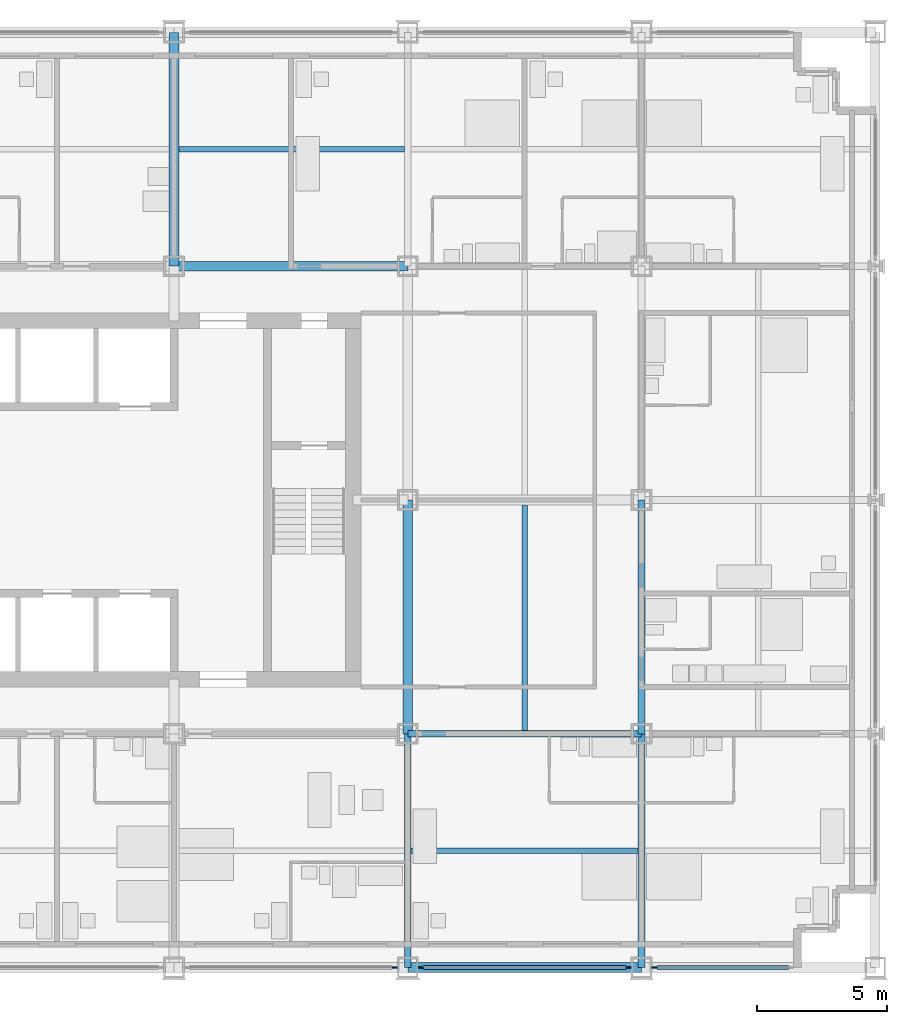
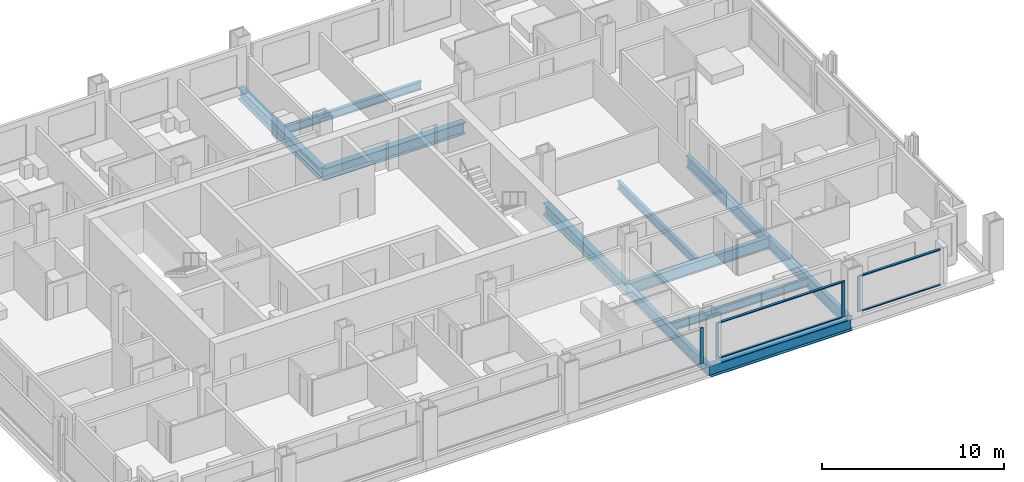
# One storey, part 5 of 18: 11 beams, 8 members, 3 elements without a shape of their own.
"""IFC4 building model written with IfcOpenShell, lengths in metres."""

import ifcopenshell
import ifcopenshell.guid

model = None  # the IFC model being written
_history = None  # IfcOwnerHistory: only IFC2X3 demands one
_inside = {}  # id of a spatial element -> (the spatial element, [elements in it])
_under = {}  # id of a project, library or spatial element -> (it, [spatial elements below it])
_declared = {}  # id of a project -> (the project, [libraries it declares])
_typed = {}  # id of a type object -> (the type object, [elements of that type])
_made_of = {}  # id of a material, layer set ... -> (it, [elements and type objects made of it])


def new_model(schema):
    """Start an empty IFC model of exactly this schema.

    Asked for "IFC4X3", IfcOpenShell would pick the latest addendum, in which some entities
    have other attributes; the version numbers below select the first issue.
    IFC2X3 requires an IfcOwnerHistory on every rooted entity: one is made here for all.
    """
    global model, _history
    if schema == "IFC4X3":
        model = ifcopenshell.file(schema_version=(4, 3, 0, 0))
    else:
        model = ifcopenshell.file(schema=schema)
    _inside.clear()
    _under.clear()
    _declared.clear()
    _typed.clear()
    _made_of.clear()
    _history = None
    if model.schema == "IFC2X3":
        org = make("IfcOrganization", Name="unknown")
        user = make(
            "IfcPersonAndOrganization",
            ThePerson=make("IfcPerson", FamilyName="unknown"),
            TheOrganization=org,
        )
        app = make(
            "IfcApplication",
            ApplicationDeveloper=org,
            Version="unknown",
            ApplicationFullName="unknown",
            ApplicationIdentifier="unknown",
        )
        _history = make(
            "IfcOwnerHistory",
            OwningUser=user,
            OwningApplication=app,
            ChangeAction="ADDED",
            CreationDate=0,
        )
    return model


def make(cls, **values):
    """One entity of the class cls with the attributes given. An attribute that is None is left unset."""
    return model.create_entity(
        cls, **{name: value for name, value in values.items() if value is not None}
    )


def rooted(cls, **values):
    """An entity with a GlobalId (a new one), such as an element, a storey or a relation."""
    return make(cls, GlobalId=ifcopenshell.guid.new(), OwnerHistory=_history, **values)


def si_unit(unit_type, name, prefix=None):
    """IfcSIUnit, for example si_unit("LENGTHUNIT", "METRE", prefix="MILLI")."""
    return make("IfcSIUnit", UnitType=unit_type, Prefix=prefix, Name=name)


def assignment(units):
    """IfcUnitAssignment: the units of a project."""
    return None if units is None else make("IfcUnitAssignment", Units=units)


def point(xyz):
    """IfcCartesianPoint."""
    return None if xyz is None else make("IfcCartesianPoint", Coordinates=xyz)


def direction(xyz):
    """IfcDirection."""
    return None if xyz is None else make("IfcDirection", DirectionRatios=xyz)


def frame(location, z_axis=None, x_axis=None):
    """IfcAxis2Placement3D, a coordinate frame: its origin and axes. An axis left out is left unset."""
    return make(
        "IfcAxis2Placement3D",
        Location=point(location),
        Axis=direction(z_axis),
        RefDirection=direction(x_axis),
    )


def frame_2d(location, x_axis=None):
    """IfcAxis2Placement2D, a coordinate frame in the plane: its origin and x axis."""
    return make(
        "IfcAxis2Placement2D", Location=point(location), RefDirection=direction(x_axis)
    )


def origin():
    """The frame at (0, 0, 0) with its axes left unset."""
    return frame((0.0, 0.0, 0.0))


def origin_2d():
    """The frame at (0, 0) in the plane with its x axis left unset."""
    return frame_2d((0.0, 0.0))


def place(relative_to, where):
    """IfcLocalPlacement: puts the frame where relative to a parent placement (None: the world)."""
    return make(
        "IfcLocalPlacement", PlacementRelTo=relative_to, RelativePlacement=where
    )


def context(
    kind, dimensions, precision=None, world=None, true_north=None, identifier=None
):
    """IfcGeometricRepresentationContext, for example the 3D "Model" context."""
    return make(
        "IfcGeometricRepresentationContext",
        ContextIdentifier=identifier,
        ContextType=kind,
        CoordinateSpaceDimension=dimensions,
        Precision=precision,
        WorldCoordinateSystem=world,
        TrueNorth=true_north,
    )


def subcontext(parent, identifier, kind, view, scale=None):
    """IfcGeometricRepresentationSubContext, for example "Body" below "Model"."""
    return make(
        "IfcGeometricRepresentationSubContext",
        ContextIdentifier=identifier,
        ContextType=kind,
        ParentContext=parent,
        TargetScale=scale,
        TargetView=view,
    )


def project(units=None, contexts=None):
    """IfcProject with its units and contexts."""
    return rooted(
        "IfcProject",
        Name="project",
        RepresentationContexts=contexts,
        UnitsInContext=assignment(units),
    )


def spatial(cls, under=None, at=None, **own):
    """A site, building, storey or space (cls), placed at a placement, below another one or the project."""
    s = rooted(cls, ObjectPlacement=at, **own)
    if under is not None:
        _under.setdefault(under.id(), (under, []))[1].append(s)
    return s


def profile(cls, at=None, kind="AREA", **sizes):
    """A parametric profile (cls). Its sizes go by their IFC names, for example OverallWidth=200.0."""
    return make(cls, ProfileType=kind, Position=at, **sizes)


def rectangle(**sizes):
    """IfcRectangleProfileDef."""
    return profile("IfcRectangleProfileDef", **sizes)


def i_section(**sizes):
    """IfcIShapeProfileDef."""
    return profile("IfcIShapeProfileDef", **sizes)


def extrude(swept, where, along, depth):
    """IfcExtrudedAreaSolid: the profile swept, set in the frame where, extruded along a direction by depth."""
    return make(
        "IfcExtrudedAreaSolid",
        SweptArea=swept,
        Position=where,
        ExtrudedDirection=direction(along),
        Depth=depth,
    )


def shape(context_of_items, identifier, shape_type, items):
    """IfcShapeRepresentation: the items that make up one representation, for example the "Body"."""
    return make(
        "IfcShapeRepresentation",
        ContextOfItems=context_of_items,
        RepresentationIdentifier=identifier,
        RepresentationType=shape_type,
        Items=items,
    )


def material(Name=None, Category=None):
    """IfcMaterial."""
    return make("IfcMaterial", Name=Name, Category=Category)


def material_profile(
    of_material, cross_section, Name=None, Category=None, Priority=None
):
    """IfcMaterialProfile: a cross section and its material."""
    return make(
        "IfcMaterialProfile",
        Name=Name,
        Material=of_material,
        Profile=cross_section,
        Priority=Priority,
        Category=Category,
    )


def profile_set(profiles, Name=None, composite=None):
    """IfcMaterialProfileSet."""
    return make(
        "IfcMaterialProfileSet",
        Name=Name,
        MaterialProfiles=profiles,
        CompositeProfile=composite,
    )


def made_of(thing, what):
    """Note that an element or type object is made of a material, layer set ...; save() writes the relation."""
    if what is not None:
        _made_of.setdefault(what.id(), (what, []))[1].append(thing)
    return thing


def type_object(cls, material=None, **own):
    """A type object (cls), such as IfcWallType, which elements share."""
    return made_of(rooted(cls, **own), material)


def element(
    cls,
    number,
    at=None,
    inside=None,
    cuts=None,
    type_object=None,
    material=None,
    context=None,
    identifier="Body",
    shape_type=None,
    held_by="IfcProductDefinitionShape",
    body=None,
    shapes=None,
    **own,
):
    """One element of the class cls, such as IfcWall. Its Tag is "e" and its number.

    at: its placement. inside: the storey or other place that contains it. cuts: it is an
    opening in that element (IfcRelVoidsElement). A single representation is given by context,
    identifier, shape_type and body (its items); several are given by shapes. held_by: the class
    of the entity that holds the representations. save() writes the other relations.
    """
    e = rooted(cls, Tag="e%d" % number, ObjectPlacement=at, **own)
    if body is not None:
        shapes = [shape(context, identifier, shape_type, body)]
    if shapes is not None:
        e.Representation = make(held_by, Representations=shapes)
    if inside is not None:
        _inside.setdefault(inside.id(), (inside, []))[1].append(e)
    if cuts is not None:
        rooted(
            "IfcRelVoidsElement", RelatingBuildingElement=cuts, RelatedOpeningElement=e
        )
    if type_object is not None:
        _typed.setdefault(type_object.id(), (type_object, []))[1].append(e)
    return made_of(e, material)


def aggregate(whole, parts):
    """IfcRelAggregates: a whole, such as a stair, and the parts it consists of."""
    return rooted("IfcRelAggregates", RelatingObject=whole, RelatedObjects=parts)


def save(model, path):
    """Write the relations noted so far, then the file.

    IfcRelAggregates (storeys below a building ...), IfcRelContainedInSpatialStructure (elements
    in a storey), IfcRelDefinesByType, IfcRelAssociatesMaterial and IfcRelDeclares: one each for
    every whole, place, type object, material and project.
    """
    for whole, parts in _under.values():
        aggregate(whole, parts)
    for where, things in _inside.values():
        rooted(
            "IfcRelContainedInSpatialStructure",
            RelatedElements=things,
            RelatingStructure=where,
        )
    for kind, things in _typed.values():
        rooted("IfcRelDefinesByType", RelatedObjects=things, RelatingType=kind)
    for what, things in _made_of.values():
        rooted("IfcRelAssociatesMaterial", RelatedObjects=things, RelatingMaterial=what)
    for by, libraries in _declared.values():
        rooted("IfcRelDeclares", RelatingContext=by, RelatedDefinitions=libraries)
    model.write(path)


model = new_model("IFC4")

# Units and contexts
model_context = context("Model", 3, precision=1e-05, world=origin(), true_north=direction((0.0, 1.0)))
body_context = subcontext(model_context, "Body", "Model", "MODEL_VIEW")
ifc_project = project(units=[si_unit("LENGTHUNIT", "METRE"), si_unit("AREAUNIT", "SQUARE_METRE"), si_unit("VOLUMEUNIT", "CUBIC_METRE"), si_unit("PLANEANGLEUNIT", "RADIAN"), si_unit("MASSUNIT", "GRAM", prefix="KILO")], contexts=[model_context])

# Site, building, storey
site_placement = place(None, origin())
site = spatial("IfcSite", under=ifc_project, at=site_placement, CompositionType="ELEMENT")
building_placement = place(site_placement, origin())
building = spatial("IfcBuilding", under=site, at=building_placement, Name="Loomwork Tower", CompositionType="ELEMENT")
storey_placement = place(building_placement, frame((0.0, 0.0, 68.800048828125)))
storey = spatial("IfcBuildingStorey", under=building, at=storey_placement, Name="L17", CompositionType="ELEMENT", Elevation=68.800048828125)

# Beams
ifc_material_1 = material(Name="Steel ASTM A992", Category="steel")
ifc_material_profile_1 = material_profile(ifc_material_1, i_section(OverallWidth=0.383544921875, OverallDepth=0.794921875, WebThickness=0.02099609375, FlangeThickness=0.0380859375, at=origin_2d()), Name="W30x235")
ifc_profile_set_1 = profile_set([ifc_material_profile_1], Name="Steel ASTM A992")
beam_type_1 = type_object("IfcBeamType", Name="CORE FLANK GIRDER W30x235", PredefinedType="BEAM", material=ifc_profile_set_1)
for number, where, z_axis, x_axis, name in (
    (1, (27.0, 27.0, -0.59765625), (1.0, 0.0, 0.0), (0.0, 1.0, 0.0), "Core Flank Girder G/5-G/6 L17"),
    (2, (27.0, 27.0, -0.59765625), (0.0, 1.0, 0.0), (-1.0, 0.0, 0.0), "Core Flank Girder G/5-H/5 L17"),
    (3, (36.0, 9.0, -0.59765625), (0.0, 1.0, 0.0), (-1.0, 0.0, 0.0), "Core Flank Girder E/6-F/6 L17"),
):
    element("IfcBeam", number, at=place(storey_placement, frame(where, z_axis=z_axis, x_axis=x_axis)), inside=storey, type_object=beam_type_1, Name=name, PredefinedType="BEAM", context=body_context, shape_type="SweptSolid", body=[
        extrude(i_section(OverallWidth=0.383544921875, OverallDepth=0.794921875, WebThickness=0.02099609375, FlangeThickness=0.0380859375, at=origin_2d()), origin(), (0.0, 0.0, 1.0), 9.0),
    ])
ifc_material_2 = material(Name="Steel ASTM A992", Category="steel")
ifc_material_profile_2 = material_profile(ifc_material_2, i_section(OverallWidth=0.2666015625, OverallDepth=0.761962890625, WebThickness=0.014404296875, FlangeThickness=0.021484375, at=origin_2d()), Name="W30x116")
ifc_profile_set_2 = profile_set([ifc_material_profile_2], Name="Steel ASTM A992")
beam_type_2 = type_object("IfcBeamType", Name="FLOOR GIRDER W30x116", PredefinedType="BEAM", material=ifc_profile_set_2)
for number, where, z_axis, x_axis, name in (
    (4, (36.0, 9.0, -0.5810546875), (1.0, 0.0, 0.0), (0.0, 1.0, 0.0), "Floor Girder E/6-E/7 L17"),
    (5, (36.0, 0.0, -0.5810546875), (0.0, 1.0, 0.0), (-1.0, 0.0, 0.0), "Floor Girder D/6-E/6 L17"),
    (6, (45.0, 0.0, -0.5810546875), (0.0, 1.0, 0.0), (-1.0, 0.0, 0.0), "Floor Girder D/7-E/7 L17"),
    (7, (45.0, 9.0, -0.5810546875), (0.0, 1.0, 0.0), (-1.0, 0.0, 0.0), "Floor Girder E/7-F/7 L17"),
):
    element("IfcBeam", number, at=place(storey_placement, frame(where, z_axis=z_axis, x_axis=x_axis)), inside=storey, type_object=beam_type_2, Name=name, PredefinedType="BEAM", context=body_context, shape_type="SweptSolid", body=[
        extrude(i_section(OverallWidth=0.2666015625, OverallDepth=0.761962890625, WebThickness=0.014404296875, FlangeThickness=0.021484375, at=origin_2d()), origin(), (0.0, 0.0, 1.0), 9.0),
    ])
ifc_material_3 = material(Name="Steel ASTM A992", Category="steel")
ifc_material_profile_3 = material_profile(ifc_material_3, i_section(OverallWidth=0.2109375, OverallDepth=0.53857421875, WebThickness=0.011474609375, FlangeThickness=0.018798828125, at=origin_2d()), Name="W21x73")
ifc_profile_set_3 = profile_set([ifc_material_profile_3], Name="Steel ASTM A992")
beam_type_3 = type_object("IfcBeamType", Name="FLOOR JOIST W21x73", PredefinedType="JOIST", material=ifc_profile_set_3)
beam_1_placement = place(storey_placement, frame((27.19091796875, 31.5, -0.46923828125), z_axis=(1.0, 0.0, 0.0), x_axis=(0.0, 1.0, 0.0)))
element("IfcBeam", 8, at=beam_1_placement, inside=storey, type_object=beam_type_3, Name="Floor Joist 27.000,31.500-36.000,31.500 L17", PredefinedType="JOIST", context=body_context, shape_type="SweptSolid", body=[
    extrude(i_section(OverallWidth=0.2109375, OverallDepth=0.53857421875, WebThickness=0.011474609375, FlangeThickness=0.018798828125, at=origin_2d()), origin(), (0.0, 0.0, 1.0), 8.676025390625),
])
beam_2_placement = place(storey_placement, frame((36.133056640625, 4.5, -0.46923828125), z_axis=(1.0, 0.0, 0.0), x_axis=(0.0, 1.0, 0.0)))
element("IfcBeam", 9, at=beam_2_placement, inside=storey, type_object=beam_type_3, Name="Floor Joist 36.000,4.500-45.000,4.500 L17", PredefinedType="JOIST", context=body_context, shape_type="SweptSolid", body=[
    extrude(i_section(OverallWidth=0.2109375, OverallDepth=0.53857421875, WebThickness=0.011474609375, FlangeThickness=0.018798828125, at=origin_2d()), origin(), (0.0, 0.0, 1.0), 8.73388671875),
])
beam_3_placement = place(storey_placement, frame((40.5, 9.133056640625, -0.46923828125), z_axis=(0.0, 1.0, 0.0), x_axis=(-1.0, 0.0, 0.0)))
element("IfcBeam", 10, at=beam_3_placement, inside=storey, type_object=beam_type_3, Name="Floor Joist 40.500,9.000-40.500,18.000 L17", PredefinedType="JOIST", context=body_context, shape_type="SweptSolid", body=[
    extrude(i_section(OverallWidth=0.2109375, OverallDepth=0.53857421875, WebThickness=0.011474609375, FlangeThickness=0.018798828125, at=origin_2d()), origin(), (0.0, 0.0, 1.0), 8.676025390625),
])

# Curtain wall, member
ifc_material_4 = material(Name="Aluminium curtain wall frame", Category="aluminium")
curtain_wall_type = type_object("IfcCurtainWallType", Name="Outer skin glazing hotel", PredefinedType="NOTDEFINED", material=ifc_material_4)
curtain_wall_1_placement = place(storey_placement, origin())
curtain_wall_1 = element("IfcCurtainWall", 11, at=curtain_wall_1_placement, inside=storey, type_object=curtain_wall_type, Name="Outer skin glazing hotel cw/S-27", PredefinedType="NOTDEFINED")
ifc_material_5 = material(Name="Aluminium curtain wall frame", Category="aluminium")
ifc_material_profile_4 = material_profile(ifc_material_5, rectangle(XDim=0.06494140625, YDim=0.199951171875, at=origin_2d()), Name="AL 65x200")
ifc_profile_set_4 = profile_set([ifc_material_profile_4], Name="Aluminium curtain wall frame")
member_type_1 = type_object("IfcMemberType", Name="Outer skin glazing hotel mullion", PredefinedType="MULLION", material=ifc_profile_set_4)
member_1_placement = place(storey_placement, frame((35.5, 0.0, 0.0), z_axis=(0.0, 0.0, 1.0), x_axis=(0.0, 1.0, 0.0)))
member_1 = element("IfcMember", 12, at=member_1_placement, type_object=member_type_1, Name="CW1 mullion 2", PredefinedType="MULLION", context=body_context, shape_type="SweptSolid", body=[
    extrude(rectangle(XDim=0.06494140625, YDim=0.199951171875, at=origin_2d()), origin(), (0.0, 0.0, 1.0), 2.420166015625),
])
aggregate(curtain_wall_1, [member_1])

# Curtain wall, members
curtain_wall_2_placement = place(storey_placement, origin())
curtain_wall_2 = element("IfcCurtainWall", 13, at=curtain_wall_2_placement, inside=storey, type_object=curtain_wall_type, Name="Outer skin glazing hotel cw/S-36", PredefinedType="NOTDEFINED")
member_2_placement = place(storey_placement, frame((36.5, 0.0, 0.0), z_axis=(0.0, 0.0, 1.0), x_axis=(0.0, 1.0, 0.0)))
member_2 = element("IfcMember", 14, at=member_2_placement, type_object=member_type_1, Name="CW1 mullion 1", PredefinedType="MULLION", context=body_context, shape_type="SweptSolid", body=[
    extrude(rectangle(XDim=0.06494140625, YDim=0.199951171875, at=origin_2d()), origin(), (0.0, 0.0, 1.0), 2.420166015625),
])
member_3_placement = place(storey_placement, frame((44.5, 0.0, 0.0), z_axis=(0.0, 0.0, 1.0), x_axis=(0.0, 1.0, 0.0)))
member_3 = element("IfcMember", 15, at=member_3_placement, type_object=member_type_1, Name="CW1 mullion 2", PredefinedType="MULLION", context=body_context, shape_type="SweptSolid", body=[
    extrude(rectangle(XDim=0.06494140625, YDim=0.199951171875, at=origin_2d()), origin(), (0.0, 0.0, 1.0), 2.420166015625),
])

# Curtain wall, member
curtain_wall_3_placement = place(storey_placement, origin())
curtain_wall_3 = element("IfcCurtainWall", 16, at=curtain_wall_3_placement, inside=storey, type_object=curtain_wall_type, Name="Outer skin glazing hotel cw/S-45", PredefinedType="NOTDEFINED")
member_4_placement = place(storey_placement, frame((45.5, 0.0, 0.0), z_axis=(0.0, 0.0, 1.0), x_axis=(0.0, 1.0, 0.0)))
member_4 = element("IfcMember", 17, at=member_4_placement, type_object=member_type_1, Name="CW1 mullion 1", PredefinedType="MULLION", context=body_context, shape_type="SweptSolid", body=[
    extrude(rectangle(XDim=0.06494140625, YDim=0.199951171875, at=origin_2d()), origin(), (0.0, 0.0, 1.0), 2.420166015625),
])

# Member
ifc_material_6 = material(Name="Aluminium curtain wall frame", Category="aluminium")
ifc_material_profile_5 = material_profile(ifc_material_6, rectangle(XDim=0.14990234375, YDim=0.06494140625, at=origin_2d()), Name="AL 65x150")
ifc_profile_set_5 = profile_set([ifc_material_profile_5], Name="Aluminium curtain wall frame")
member_type_2 = type_object("IfcMemberType", Name="Outer skin glazing hotel transom", PredefinedType="USERDEFINED", material=ifc_profile_set_5)
member_5_placement = place(storey_placement, frame((36.60009765625, 0.0, 0.032470703125), z_axis=(1.0, 0.0, 0.0), x_axis=(0.0, 1.0, 0.0)))
member_5 = element("IfcMember", 18, at=member_5_placement, type_object=member_type_2, Name="CW1 transom 1.1", ObjectType="TRANSOM", PredefinedType="USERDEFINED", context=body_context, shape_type="SweptSolid", body=[
    extrude(rectangle(XDim=0.14990234375, YDim=0.06494140625, at=origin_2d()), origin(), (0.0, 0.0, 1.0), 7.7998046875),
])

member_6_placement = place(storey_placement, frame((36.60009765625, 0.0, 2.3876953125), z_axis=(1.0, 0.0, 0.0), x_axis=(0.0, 1.0, 0.0)))
member_6 = element("IfcMember", 19, at=member_6_placement, type_object=member_type_2, Name="CW1 transom 1.2", ObjectType="TRANSOM", PredefinedType="USERDEFINED", context=body_context, shape_type="SweptSolid", body=[
    extrude(rectangle(XDim=0.14990234375, YDim=0.06494140625, at=origin_2d()), origin(), (0.0, 0.0, 1.0), 7.7998046875),
])

aggregate(curtain_wall_2, [member_2, member_3, member_5, member_6])

member_7_placement = place(storey_placement, frame((45.60009765625, 0.0, 0.032470703125), z_axis=(1.0, 0.0, 0.0), x_axis=(0.0, 1.0, 0.0)))
member_7 = element("IfcMember", 20, at=member_7_placement, type_object=member_type_2, Name="CW1 transom 1.1", ObjectType="TRANSOM", PredefinedType="USERDEFINED", context=body_context, shape_type="SweptSolid", body=[
    extrude(rectangle(XDim=0.14990234375, YDim=0.06494140625, at=origin_2d()), origin(), (0.0, 0.0, 1.0), 5.0498046875),
])

member_8_placement = place(storey_placement, frame((45.60009765625, 0.0, 2.3876953125), z_axis=(1.0, 0.0, 0.0), x_axis=(0.0, 1.0, 0.0)))
member_8 = element("IfcMember", 21, at=member_8_placement, type_object=member_type_2, Name="CW1 transom 1.2", ObjectType="TRANSOM", PredefinedType="USERDEFINED", context=body_context, shape_type="SweptSolid", body=[
    extrude(rectangle(XDim=0.14990234375, YDim=0.06494140625, at=origin_2d()), origin(), (0.0, 0.0, 1.0), 5.0498046875),
])

aggregate(curtain_wall_3, [member_4, member_7, member_8])

# Beam
ifc_material_7 = material(Name="Steel ASTM A992", Category="steel")
ifc_material_profile_6 = material_profile(ifc_material_7, i_section(OverallWidth=0.381103515625, OverallDepth=0.77978515625, WebThickness=0.01806640625, FlangeThickness=0.0302734375, at=origin_2d()), Name="W30x191")
ifc_profile_set_6 = profile_set([ifc_material_profile_6], Name="Steel ASTM A992")
beam_type_4 = type_object("IfcBeamType", Name="SPANDREL GIRDER W30x191", PredefinedType="SPANDREL", material=ifc_profile_set_6)
beam_4_placement = place(storey_placement, frame((36.0, 0.0, -0.58984375), z_axis=(1.0, 0.0, 0.0), x_axis=(0.0, 1.0, 0.0)))
element("IfcBeam", 22, at=beam_4_placement, inside=storey, type_object=beam_type_4, Name="Spandrel Girder D/6-D/7 L17", PredefinedType="SPANDREL", context=body_context, shape_type="SweptSolid", body=[
    extrude(i_section(OverallWidth=0.381103515625, OverallDepth=0.77978515625, WebThickness=0.01806640625, FlangeThickness=0.0302734375, at=origin_2d()), origin(), (0.0, 0.0, 1.0), 9.0),
])

save(model, "model.ifc")
